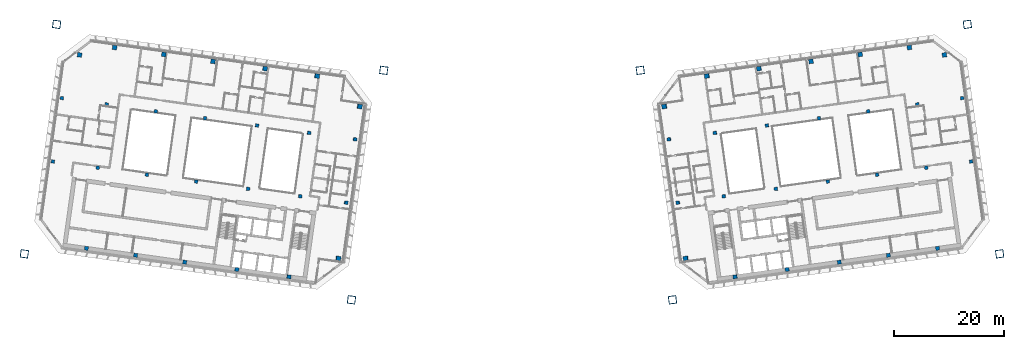
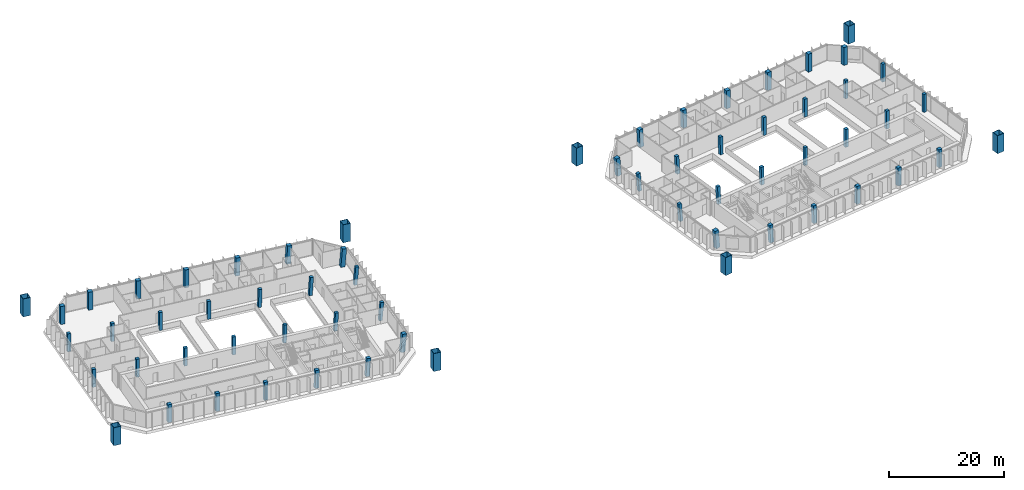
# One storey, part 1 of 23: 62 columns.
"""IFC4 building model written with IfcOpenShell, lengths in metres."""

from ifc_helpers import new_model, si_unit, direction, frame, origin, origin_2d, place, context, subcontext, project, spatial, rectangle, hollow_rectangle, extrude, material, material_profile, profile_set, type_object, element, save


model = new_model("IFC4")

# Units and contexts
model_context = context("Model", 3, precision=1e-05, world=origin(), true_north=direction((0.0, 1.0)))
body_context = subcontext(model_context, "Body", "Model", "MODEL_VIEW")
ifc_project = project(units=[si_unit("LENGTHUNIT", "METRE"), si_unit("AREAUNIT", "SQUARE_METRE"), si_unit("VOLUMEUNIT", "CUBIC_METRE"), si_unit("PLANEANGLEUNIT", "RADIAN"), si_unit("MASSUNIT", "GRAM", prefix="KILO")], contexts=[model_context])

# Site, building, storey
site_placement = place(None, origin())
site = spatial("IfcSite", under=ifc_project, at=site_placement, CompositionType="ELEMENT")
building_placement = place(site_placement, origin())
building = spatial("IfcBuilding", under=site, at=building_placement, Name="Mirante Cascada Hotel Towers", CompositionType="ELEMENT")
storey_placement = place(building_placement, frame((0.0, 0.0, 187.8)))
storey = spatial("IfcBuildingStorey", under=building, at=storey_placement, Name="L44", CompositionType="ELEMENT", Elevation=187.8)

# Columns
ifc_material_1 = material(Name="Steel ASTM A572 Gr 50", Category="steel")
ifc_material_profile_1 = material_profile(ifc_material_1, hollow_rectangle(XDim=1.4, YDim=1.4, WallThickness=0.06, at=origin_2d()), Name="Box column 1400x1400x60 ASTM A572 Gr 50")
ifc_profile_set_1 = profile_set([ifc_material_profile_1], Name="Steel ASTM A572 Gr 50")
column_type_1 = type_object("IfcColumnType", Name="Box column 1400x1400x60 ASTM A572 Gr 50", PredefinedType="COLUMN", material=ifc_profile_set_1)
for number, where, z_axis, x_axis, name in (
    (1, (-23.2459, 18.2572, 0.0), (0.0, 0.0, 1.0), (-0.9902681, 0.1391731, 0.0), "Mega column MC1 T1 L44"),
    (2, (-29.0912, -23.3341, 0.0), (0.0, 0.0, 1.0), (-0.9902681, 0.1391731, 0.0), "Mega column MC2 T1 L44"),
    (3, (-82.5324, 26.5893, 0.0), (0.0, 0.0, 1.0), (-0.9902681, 0.1391731, 0.0), "Mega column MC3 T1 L44"),
    (4, (-88.3776, -15.0019, 0.0), (0.0, 0.0, 1.0), (-0.9902681, 0.1391731, 0.0), "Mega column MC4 T1 L44"),
    (5, (23.2459, 18.2572, 0.0), (0.0, 0.0, 1.0), (0.9902681, 0.1391731, 0.0), "Mega column MC1 T2 L44"),
    (6, (29.0912, -23.3341, 0.0), (0.0, 0.0, 1.0), (0.9902681, 0.1391731, 0.0), "Mega column MC2 T2 L44"),
    (7, (82.5324, 26.5893, 0.0), (0.0, 0.0, 1.0), (0.9902681, 0.1391731, 0.0), "Mega column MC3 T2 L44"),
    (8, (88.3776, -15.0019, 0.0), (0.0, 0.0, 1.0), (0.9902681, 0.1391731, 0.0), "Mega column MC4 T2 L44"),
):
    element("IfcColumn", number, at=place(storey_placement, frame(where, z_axis=z_axis, x_axis=x_axis)), inside=storey, type_object=column_type_1, Name=name, PredefinedType="COLUMN", context=body_context, shape_type="SweptSolid", body=[
        extrude(hollow_rectangle(XDim=1.4, YDim=1.4, WallThickness=0.06, at=origin_2d()), origin(), (0.0, 0.0, 1.0), 3.8),
    ])
ifc_material_2 = material(Name="Concrete C50/60", Category="concrete")
ifc_material_profile_2 = material_profile(ifc_material_2, rectangle(XDim=0.6, YDim=0.6, at=origin_2d()), Name="RC column 600x600 C50/60")
ifc_profile_set_2 = profile_set([ifc_material_profile_2], Name="Concrete C50/60")
column_type_2 = type_object("IfcColumnType", Name="RC column 600x600 C50/60", PredefinedType="COLUMN", material=ifc_profile_set_2)
for number, where, z_axis, x_axis, name in (
    (9, (-28.4839, 5.7646, 0.004), (0.0797245, -0.011224, 0.9967537), (0.1394099, 0.9902348, 0.0), "Column T1 L44 2"),
    (10, (-30.0983, -5.7225, 0.004), (0.0797245, -0.011224, 0.9967537), (0.1394099, 0.9902348, 0.0), "Column T1 L44 3"),
):
    element("IfcColumn", number, at=place(storey_placement, frame(where, z_axis=z_axis, x_axis=x_axis)), inside=storey, type_object=column_type_2, Name=name, PredefinedType="COLUMN", context=body_context, shape_type="SweptSolid", body=[
        extrude(rectangle(XDim=0.6, YDim=0.6, at=origin_2d()), origin(), (0.0, 0.0, 1.0), 3.8043),
    ])
for number, where, z_axis, x_axis, name in (
    (11, (-36.8044, 6.9339, 0.004), (0.0592554, -0.0083184, 0.9982082), (0.1390189, 0.9902897, 0.0), "Column T1 L44 6"),
    (12, (-38.4188, -4.5532, 0.004), (0.0592554, -0.0083184, 0.9982082), (0.1390189, 0.9902897, 0.0), "Column T1 L44 7"),
):
    element("IfcColumn", number, at=place(storey_placement, frame(where, z_axis=z_axis, x_axis=x_axis)), inside=storey, type_object=column_type_2, Name=name, PredefinedType="COLUMN", context=body_context, shape_type="SweptSolid", body=[
        extrude(rectangle(XDim=0.6, YDim=0.6, at=origin_2d()), origin(), (0.0, 0.0, 1.0), 3.7988),
    ])
for number, where, z_axis, x_axis, name in (
    (13, (-46.2211, 8.2574, 0.004), (0.0296807, -0.0041912, 0.9995506), (0.1398207, 0.9901768, 0.0), "Column T1 L44 10"),
    (14, (-47.8355, -3.2297, 0.004), (0.0296807, -0.0041912, 0.9995506), (0.1398207, 0.9901768, 0.0), "Column T1 L44 11"),
):
    element("IfcColumn", number, at=place(storey_placement, frame(where, z_axis=z_axis, x_axis=x_axis)), inside=storey, type_object=column_type_2, Name=name, PredefinedType="COLUMN", context=body_context, shape_type="SweptSolid", body=[
        extrude(rectangle(XDim=0.6, YDim=0.6, at=origin_2d()), origin(), (0.0, 0.0, 1.0), 3.7937),
    ])
for number, where, z_axis, x_axis, name in (
    (15, (-55.6378, 9.5808, 0.0), (0.0, 0.0, 1.0), (-0.9902681, 0.1391731, 0.0), "Column T1 L44 14"),
    (16, (-57.2522, -1.9063, 0.0), (0.0, 0.0, 1.0), (-0.9902681, 0.1391731, 0.0), "Column T1 L44 15"),
    (17, (-64.5502, 10.8333, 0.0), (0.0, 0.0, 1.0), (-0.9902681, 0.1391731, 0.0), "Column T1 L44 18"),
    (18, (-66.1646, -0.6538, 0.0), (0.0, 0.0, 1.0), (-0.9902681, 0.1391731, 0.0), "Column T1 L44 19"),
    (19, (-73.4626, 12.0859, 0.0), (0.0, 0.0, 1.0), (-0.9902681, 0.1391731, 0.0), "Column T1 L44 22"),
    (20, (-75.077, 0.5988, 0.0), (0.0, 0.0, 1.0), (-0.9902681, 0.1391731, 0.0), "Column T1 L44 23"),
    (21, (-81.5828, 13.2271, 0.0), (0.0, 0.0, 1.0), (-0.9902681, 0.1391731, 0.0), "Column T1 L44 26"),
    (22, (-83.1972, 1.74, 0.0), (0.0, 0.0, 1.0), (-0.9902681, 0.1391731, 0.0), "Column T1 L44 27"),
):
    element("IfcColumn", number, at=place(storey_placement, frame(where, z_axis=z_axis, x_axis=x_axis)), inside=storey, type_object=column_type_2, Name=name, PredefinedType="COLUMN", context=body_context, shape_type="SweptSolid", body=[
        extrude(rectangle(XDim=0.6, YDim=0.6, at=origin_2d()), origin(), (0.0, 0.0, 1.0), 3.8),
    ])
for number, where, z_axis, x_axis, name in (
    (23, (28.4839, 5.7646, 0.004), (-0.0797245, -0.011224, 0.9967537), (0.1394099, -0.9902348, 0.0), "Column T2 L44 2"),
    (24, (30.0983, -5.7225, 0.004), (-0.0797245, -0.011224, 0.9967537), (0.1394099, -0.9902348, 0.0), "Column T2 L44 3"),
):
    element("IfcColumn", number, at=place(storey_placement, frame(where, z_axis=z_axis, x_axis=x_axis)), inside=storey, type_object=column_type_2, Name=name, PredefinedType="COLUMN", context=body_context, shape_type="SweptSolid", body=[
        extrude(rectangle(XDim=0.6, YDim=0.6, at=origin_2d()), origin(), (0.0, 0.0, 1.0), 3.8043),
    ])
for number, where, z_axis, x_axis, name in (
    (25, (36.8044, 6.9339, 0.004), (-0.0592554, -0.0083184, 0.9982082), (0.1390189, -0.9902897, 0.0), "Column T2 L44 6"),
    (26, (38.4188, -4.5532, 0.004), (-0.0592554, -0.0083184, 0.9982082), (0.1390189, -0.9902897, 0.0), "Column T2 L44 7"),
):
    element("IfcColumn", number, at=place(storey_placement, frame(where, z_axis=z_axis, x_axis=x_axis)), inside=storey, type_object=column_type_2, Name=name, PredefinedType="COLUMN", context=body_context, shape_type="SweptSolid", body=[
        extrude(rectangle(XDim=0.6, YDim=0.6, at=origin_2d()), origin(), (0.0, 0.0, 1.0), 3.7988),
    ])
for number, where, z_axis, x_axis, name in (
    (27, (46.2211, 8.2574, 0.004), (-0.0296807, -0.0041912, 0.9995506), (0.1398207, -0.9901768, 0.0), "Column T2 L44 10"),
    (28, (47.8355, -3.2297, 0.004), (-0.0296807, -0.0041912, 0.9995506), (0.1398207, -0.9901768, 0.0), "Column T2 L44 11"),
):
    element("IfcColumn", number, at=place(storey_placement, frame(where, z_axis=z_axis, x_axis=x_axis)), inside=storey, type_object=column_type_2, Name=name, PredefinedType="COLUMN", context=body_context, shape_type="SweptSolid", body=[
        extrude(rectangle(XDim=0.6, YDim=0.6, at=origin_2d()), origin(), (0.0, 0.0, 1.0), 3.7937),
    ])
for number, where, z_axis, x_axis, name in (
    (29, (55.6378, 9.5808, 0.0), (0.0, 0.0, 1.0), (0.9902681, 0.1391731, 0.0), "Column T2 L44 14"),
    (30, (57.2522, -1.9063, 0.0), (0.0, 0.0, 1.0), (0.9902681, 0.1391731, 0.0), "Column T2 L44 15"),
    (31, (64.5502, 10.8333, 0.0), (0.0, 0.0, 1.0), (0.9902681, 0.1391731, 0.0), "Column T2 L44 18"),
    (32, (66.1646, -0.6538, 0.0), (0.0, 0.0, 1.0), (0.9902681, 0.1391731, 0.0), "Column T2 L44 19"),
    (33, (73.4626, 12.0859, 0.0), (0.0, 0.0, 1.0), (0.9902681, 0.1391731, 0.0), "Column T2 L44 22"),
    (34, (75.077, 0.5988, 0.0), (0.0, 0.0, 1.0), (0.9902681, 0.1391731, 0.0), "Column T2 L44 23"),
    (35, (81.5828, 13.2271, 0.0), (0.0, 0.0, 1.0), (0.9902681, 0.1391731, 0.0), "Column T2 L44 26"),
    (36, (83.1972, 1.74, 0.0), (0.0, 0.0, 1.0), (0.9902681, 0.1391731, 0.0), "Column T2 L44 27"),
):
    element("IfcColumn", number, at=place(storey_placement, frame(where, z_axis=z_axis, x_axis=x_axis)), inside=storey, type_object=column_type_2, Name=name, PredefinedType="COLUMN", context=body_context, shape_type="SweptSolid", body=[
        extrude(rectangle(XDim=0.6, YDim=0.6, at=origin_2d()), origin(), (0.0, 0.0, 1.0), 3.8),
    ])
ifc_material_3 = material(Name="Concrete C50/60", Category="concrete")
ifc_material_profile_3 = material_profile(ifc_material_3, rectangle(XDim=0.7, YDim=0.7, at=origin_2d()), Name="RC column 700x700 C50/60")
ifc_profile_set_3 = profile_set([ifc_material_profile_3], Name="Concrete C50/60")
column_type_3 = type_object("IfcColumnType", Name="RC column 700x700 C50/60", PredefinedType="COLUMN", material=ifc_profile_set_3)
column_1_placement = place(storey_placement, frame((-40.4716, -19.1596, 0.004), z_axis=(0.0592554, -0.0083447, 0.998208), x_axis=(0.1394503, 0.9902291, 0.0)))
element("IfcColumn", 37, at=column_1_placement, inside=storey, type_object=column_type_3, Name="Column T1 L44 8", PredefinedType="COLUMN", context=body_context, shape_type="SweptSolid", body=[
    extrude(rectangle(XDim=0.7, YDim=0.7, at=origin_2d()), origin(), (0.0, 0.0, 1.0), 3.7988),
])
column_2_placement = place(storey_placement, frame((-49.8883, -17.8362, 0.004), z_axis=(0.0296808, -0.0041648, 0.9995508), x_axis=(0.1389584, 0.9902982, 0.0)))
element("IfcColumn", 38, at=column_2_placement, inside=storey, type_object=column_type_3, Name="Column T1 L44 12", PredefinedType="COLUMN", context=body_context, shape_type="SweptSolid", body=[
    extrude(rectangle(XDim=0.7, YDim=0.7, at=origin_2d()), origin(), (0.0, 0.0, 1.0), 3.7937),
])
for number, where, z_axis, x_axis, name in (
    (39, (-59.305, -16.5128, 0.0), (0.0, 0.0, 1.0), (-0.9902681, 0.1391731, 0.0), "Column T1 L44 16"),
    (40, (-68.2174, -15.2602, 0.0), (0.0, 0.0, 1.0), (-0.9902681, 0.1391731, 0.0), "Column T1 L44 20"),
    (41, (-77.1298, -14.0077, 0.0), (0.0, 0.0, 1.0), (-0.9902681, 0.1391731, 0.0), "Column T1 L44 24"),
):
    element("IfcColumn", number, at=place(storey_placement, frame(where, z_axis=z_axis, x_axis=x_axis)), inside=storey, type_object=column_type_3, Name=name, PredefinedType="COLUMN", context=body_context, shape_type="SweptSolid", body=[
        extrude(rectangle(XDim=0.7, YDim=0.7, at=origin_2d()), origin(), (0.0, 0.0, 1.0), 3.8),
    ])
column_3_placement = place(storey_placement, frame((40.4716, -19.1596, 0.004), z_axis=(-0.0592554, -0.0083447, 0.998208), x_axis=(0.1394503, -0.9902291, 0.0)))
element("IfcColumn", 42, at=column_3_placement, inside=storey, type_object=column_type_3, Name="Column T2 L44 8", PredefinedType="COLUMN", context=body_context, shape_type="SweptSolid", body=[
    extrude(rectangle(XDim=0.7, YDim=0.7, at=origin_2d()), origin(), (0.0, 0.0, 1.0), 3.7988),
])
column_4_placement = place(storey_placement, frame((49.8883, -17.8362, 0.004), z_axis=(-0.0296808, -0.0041648, 0.9995508), x_axis=(0.1389584, -0.9902982, 0.0)))
element("IfcColumn", 43, at=column_4_placement, inside=storey, type_object=column_type_3, Name="Column T2 L44 12", PredefinedType="COLUMN", context=body_context, shape_type="SweptSolid", body=[
    extrude(rectangle(XDim=0.7, YDim=0.7, at=origin_2d()), origin(), (0.0, 0.0, 1.0), 3.7937),
])
for number, where, z_axis, x_axis, name in (
    (44, (59.305, -16.5128, 0.0), (0.0, 0.0, 1.0), (0.9902681, 0.1391731, 0.0), "Column T2 L44 16"),
    (45, (68.2174, -15.2602, 0.0), (0.0, 0.0, 1.0), (0.9902681, 0.1391731, 0.0), "Column T2 L44 20"),
    (46, (77.1298, -14.0077, 0.0), (0.0, 0.0, 1.0), (0.9902681, 0.1391731, 0.0), "Column T2 L44 24"),
):
    element("IfcColumn", number, at=place(storey_placement, frame(where, z_axis=z_axis, x_axis=x_axis)), inside=storey, type_object=column_type_3, Name=name, PredefinedType="COLUMN", context=body_context, shape_type="SweptSolid", body=[
        extrude(rectangle(XDim=0.7, YDim=0.7, at=origin_2d()), origin(), (0.0, 0.0, 1.0), 3.8),
    ])
ifc_material_4 = material(Name="Concrete C50/60", Category="concrete")
ifc_material_profile_4 = material_profile(ifc_material_4, rectangle(XDim=0.8, YDim=0.8, at=origin_2d()), Name="RC column 800x800 C50/60")
ifc_profile_set_4 = profile_set([ifc_material_profile_4], Name="Concrete C50/60")
column_type_4 = type_object("IfcColumnType", Name="RC column 800x800 C50/60", PredefinedType="COLUMN", material=ifc_profile_set_4)
column_5_placement = place(storey_placement, frame((-27.6489, 11.7062, 0.004), z_axis=(0.0797506, -0.011224, 0.9967517), x_axis=(0.1393648, 0.9902411, 0.0)))
element("IfcColumn", 47, at=column_5_placement, inside=storey, type_object=column_type_4, Name="Column T1 L44 1", PredefinedType="COLUMN", context=body_context, shape_type="SweptSolid", body=[
    extrude(rectangle(XDim=0.8, YDim=0.8, at=origin_2d()), origin(), (0.0, 0.0, 1.0), 3.8044),
])
column_6_placement = place(storey_placement, frame((-31.5179, -15.8233, 0.004), z_axis=(0.0797246, -0.0111977, 0.996754), x_axis=(0.1390897, 0.9902798, 0.0)))
element("IfcColumn", 48, at=column_6_placement, inside=storey, type_object=column_type_4, Name="Column T1 L44 4", PredefinedType="COLUMN", context=body_context, shape_type="SweptSolid", body=[
    extrude(rectangle(XDim=0.8, YDim=0.8, at=origin_2d()), origin(), (0.0, 0.0, 1.0), 3.8043),
])
column_7_placement = place(storey_placement, frame((-35.357, 17.2327, 0.004), z_axis=(0.0592554, -0.0083184, 0.9982082), x_axis=(0.1390189, 0.9902897, 0.0)))
element("IfcColumn", 49, at=column_7_placement, inside=storey, type_object=column_type_4, Name="Column T1 L44 5", PredefinedType="COLUMN", context=body_context, shape_type="SweptSolid", body=[
    extrude(rectangle(XDim=0.8, YDim=0.8, at=origin_2d()), origin(), (0.0, 0.0, 1.0), 3.7988),
])
column_8_placement = place(storey_placement, frame((-44.7737, 18.5561, 0.004), z_axis=(0.0296808, -0.0041648, 0.9995508), x_axis=(0.1389584, 0.9902982, 0.0)))
element("IfcColumn", 50, at=column_8_placement, inside=storey, type_object=column_type_4, Name="Column T1 L44 9", PredefinedType="COLUMN", context=body_context, shape_type="SweptSolid", body=[
    extrude(rectangle(XDim=0.8, YDim=0.8, at=origin_2d()), origin(), (0.0, 0.0, 1.0), 3.7937),
])
for number, where, z_axis, x_axis, name in (
    (51, (-54.1904, 19.8796, 0.0), (0.0, 0.0, 1.0), (-0.9902681, 0.1391731, 0.0), "Column T1 L44 13"),
    (52, (-63.1028, 21.1321, 0.0), (0.0, 0.0, 1.0), (-0.9902681, 0.1391731, 0.0), "Column T1 L44 17"),
    (53, (-72.0152, 22.3847, 0.0), (0.0, 0.0, 1.0), (-0.9902681, 0.1391731, 0.0), "Column T1 L44 21"),
    (54, (-78.362, 21.0551, 0.0), (0.0, 0.0, 1.0), (-0.9902681, 0.1391731, 0.0), "Column T1 L44 25"),
):
    element("IfcColumn", number, at=place(storey_placement, frame(where, z_axis=z_axis, x_axis=x_axis)), inside=storey, type_object=column_type_4, Name=name, PredefinedType="COLUMN", context=body_context, shape_type="SweptSolid", body=[
        extrude(rectangle(XDim=0.8, YDim=0.8, at=origin_2d()), origin(), (0.0, 0.0, 1.0), 3.8),
    ])
column_9_placement = place(storey_placement, frame((27.6489, 11.7062, 0.004), z_axis=(-0.0797506, -0.011224, 0.9967517), x_axis=(0.1393648, -0.9902411, 0.0)))
element("IfcColumn", 55, at=column_9_placement, inside=storey, type_object=column_type_4, Name="Column T2 L44 1", PredefinedType="COLUMN", context=body_context, shape_type="SweptSolid", body=[
    extrude(rectangle(XDim=0.8, YDim=0.8, at=origin_2d()), origin(), (0.0, 0.0, 1.0), 3.8044),
])
column_10_placement = place(storey_placement, frame((31.5179, -15.8233, 0.004), z_axis=(-0.0797246, -0.0111977, 0.996754), x_axis=(0.1390897, -0.9902798, 0.0)))
element("IfcColumn", 56, at=column_10_placement, inside=storey, type_object=column_type_4, Name="Column T2 L44 4", PredefinedType="COLUMN", context=body_context, shape_type="SweptSolid", body=[
    extrude(rectangle(XDim=0.8, YDim=0.8, at=origin_2d()), origin(), (0.0, 0.0, 1.0), 3.8043),
])
column_11_placement = place(storey_placement, frame((35.357, 17.2327, 0.004), z_axis=(-0.0592554, -0.0083184, 0.9982082), x_axis=(0.1390189, -0.9902897, 0.0)))
element("IfcColumn", 57, at=column_11_placement, inside=storey, type_object=column_type_4, Name="Column T2 L44 5", PredefinedType="COLUMN", context=body_context, shape_type="SweptSolid", body=[
    extrude(rectangle(XDim=0.8, YDim=0.8, at=origin_2d()), origin(), (0.0, 0.0, 1.0), 3.7988),
])
column_12_placement = place(storey_placement, frame((44.7737, 18.5561, 0.004), z_axis=(-0.0296808, -0.0041648, 0.9995508), x_axis=(0.1389584, -0.9902982, 0.0)))
element("IfcColumn", 58, at=column_12_placement, inside=storey, type_object=column_type_4, Name="Column T2 L44 9", PredefinedType="COLUMN", context=body_context, shape_type="SweptSolid", body=[
    extrude(rectangle(XDim=0.8, YDim=0.8, at=origin_2d()), origin(), (0.0, 0.0, 1.0), 3.7937),
])
for number, where, z_axis, x_axis, name in (
    (59, (54.1904, 19.8796, 0.0), (0.0, 0.0, 1.0), (0.9902681, 0.1391731, 0.0), "Column T2 L44 13"),
    (60, (63.1028, 21.1321, 0.0), (0.0, 0.0, 1.0), (0.9902681, 0.1391731, 0.0), "Column T2 L44 17"),
    (61, (72.0152, 22.3847, 0.0), (0.0, 0.0, 1.0), (0.9902681, 0.1391731, 0.0), "Column T2 L44 21"),
    (62, (78.362, 21.0551, 0.0), (0.0, 0.0, 1.0), (0.9902681, 0.1391731, 0.0), "Column T2 L44 25"),
):
    element("IfcColumn", number, at=place(storey_placement, frame(where, z_axis=z_axis, x_axis=x_axis)), inside=storey, type_object=column_type_4, Name=name, PredefinedType="COLUMN", context=body_context, shape_type="SweptSolid", body=[
        extrude(rectangle(XDim=0.8, YDim=0.8, at=origin_2d()), origin(), (0.0, 0.0, 1.0), 3.8),
    ])

save(model, "model.ifc")
